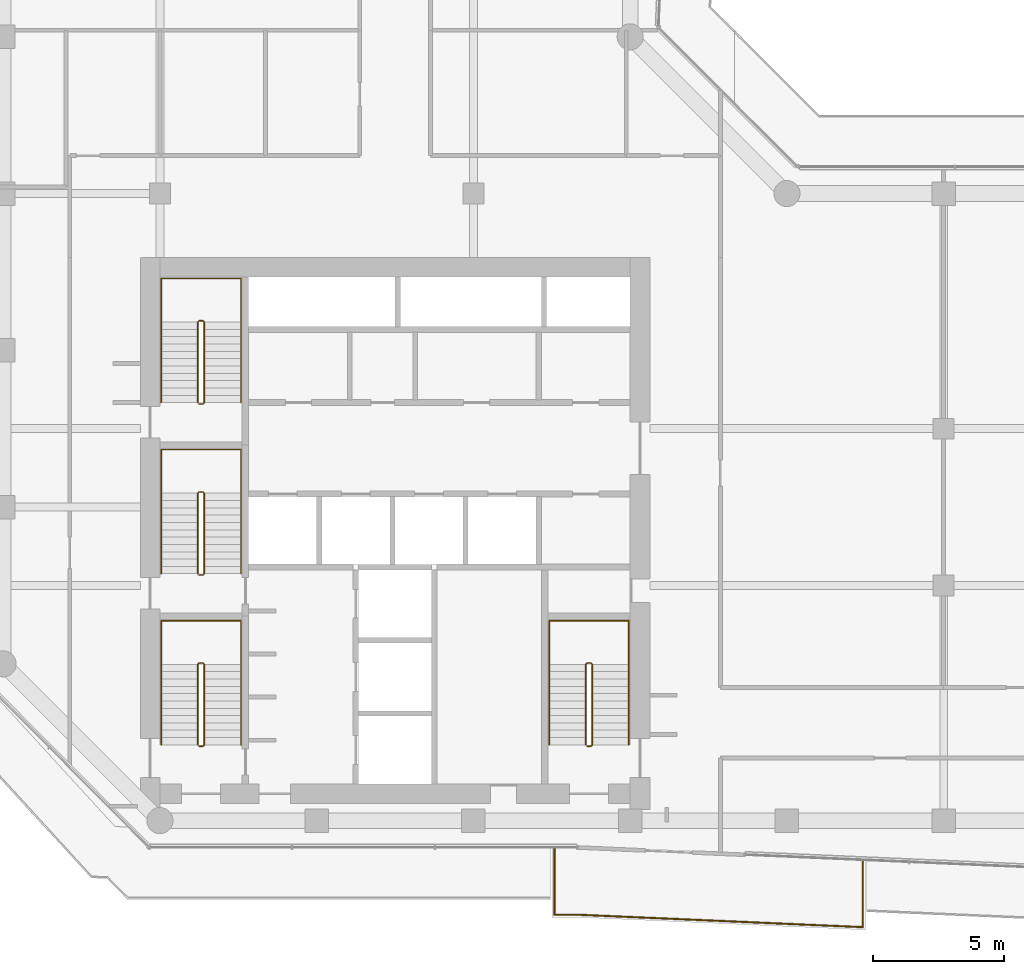
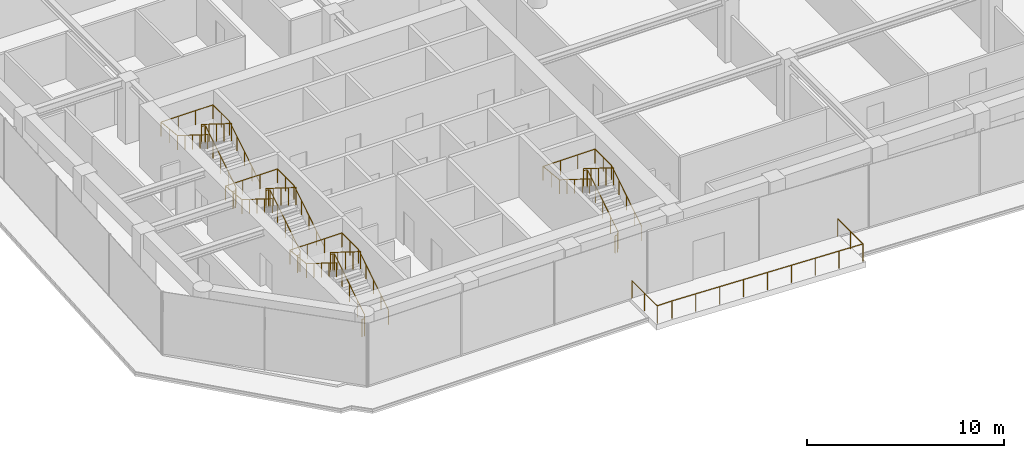
# One storey, part 24 of 25: 9 railings.
"""IFC4 building model written with IfcOpenShell, lengths in metres."""

from ifc_helpers import new_model, si_unit, direction, frame, origin, origin_2d, place, context, subcontext, project, spatial, circle, extrude, material, type_object, element, save


model = new_model("IFC4")

# Units and contexts
model_context = context("Model", 3, precision=1e-05, world=origin(), true_north=direction((0.0, 1.0)))
body_context = subcontext(model_context, "Body", "Model", "MODEL_VIEW")
ifc_project = project(units=[si_unit("LENGTHUNIT", "METRE"), si_unit("AREAUNIT", "SQUARE_METRE"), si_unit("VOLUMEUNIT", "CUBIC_METRE"), si_unit("PLANEANGLEUNIT", "RADIAN"), si_unit("MASSUNIT", "GRAM", prefix="KILO")], contexts=[model_context])

# Site, building, storey
site_placement = place(None, origin())
site = spatial("IfcSite", under=ifc_project, at=site_placement, CompositionType="ELEMENT")
building_placement = place(site_placement, origin())
building = spatial("IfcBuilding", under=site, at=building_placement, Name="Welwitschia Terrace Campus", CompositionType="ELEMENT")
storey_placement = place(building_placement, frame((0.0, 0.0, 121.39990234375)))
storey = spatial("IfcBuildingStorey", under=building, at=storey_placement, Name="L27", CompositionType="ELEMENT", Elevation=121.39990234375)

# Railings
ifc_material_1 = material(Name="Stainless steel grade 316", Category="steel")
railing_type_1 = type_object("IfcRailingType", Name="Guard 1100", PredefinedType="GUARDRAIL", material=ifc_material_1)
railing_1_placement = place(storey_placement, frame((32.90380859375, 2.494873046875, 0.0)))
element("IfcRailing", 1, at=railing_1_placement, inside=storey, type_object=railing_type_1, Name="Guard terrace L27:0:0.0", PredefinedType="GUARDRAIL", context=body_context, shape_type="SweptSolid", body=[
    extrude(circle(Radius=0.02392578125, at=origin_2d()), frame((0.0, 0.0, 1.076171875), z_axis=(-0.001518601134, -0.999998846925, 0.0), x_axis=(0.999998846925, -0.001518601134, 0.0)), (0.0, 0.0, 1.0), 2.572265625),
    extrude(circle(Radius=0.02392578125, at=origin_2d()), frame((-0.00390625, -2.572265625, 1.076171875), z_axis=(-0.999048991113, 0.043601758625, 0.0), x_axis=(-0.043601758625, -0.999048991113, 0.0)), (0.0, 0.0, 1.0), 10.94677734375),
    extrude(circle(Radius=0.02392578125, at=origin_2d()), frame((-10.940185546875, -2.094970703125, 1.076171875), z_axis=(-1.0, 0.0, 0.0), x_axis=(0.0, -1.0, 0.0)), (0.0, 0.0, 1.0), 0.863525390625),
    extrude(circle(Radius=0.02392578125, at=origin_2d()), frame((-11.8037109375, -2.094970703125, 1.076171875), z_axis=(0.0, 1.0, 0.0), x_axis=(-1.0, 0.0, 0.0)), (0.0, 0.0, 1.0), 2.570068359375),
    extrude(circle(Radius=0.02099609375, at=origin_2d()), origin(), (0.0, 0.0, 1.0), 1.052001953125),
    extrude(circle(Radius=0.02099609375, at=origin_2d()), frame((-0.001953125, -1.2861328125, 0.0)), (0.0, 0.0, 1.0), 1.052001953125),
    extrude(circle(Radius=0.02099609375, at=origin_2d()), frame((-0.00390625, -2.572265625, 0.0)), (0.0, 0.0, 1.0), 1.052001953125),
    extrude(circle(Radius=0.02099609375, at=origin_2d()), frame((-1.370849609375, -2.5126953125, 0.0)), (0.0, 0.0, 1.0), 1.052001953125),
    extrude(circle(Radius=0.02099609375, at=origin_2d()), frame((-2.738037109375, -2.452880859375, 0.0)), (0.0, 0.0, 1.0), 1.052001953125),
    extrude(circle(Radius=0.02099609375, at=origin_2d()), frame((-4.10498046875, -2.393310546875, 0.0)), (0.0, 0.0, 1.0), 1.052001953125),
    extrude(circle(Radius=0.02099609375, at=origin_2d()), frame((-5.47216796875, -2.33349609375, 0.0)), (0.0, 0.0, 1.0), 1.052001953125),
    extrude(circle(Radius=0.02099609375, at=origin_2d()), frame((-6.839111328125, -2.27392578125, 0.0)), (0.0, 0.0, 1.0), 1.052001953125),
    extrude(circle(Radius=0.02099609375, at=origin_2d()), frame((-8.2060546875, -2.21435546875, 0.0)), (0.0, 0.0, 1.0), 1.052001953125),
    extrude(circle(Radius=0.02099609375, at=origin_2d()), frame((-9.5732421875, -2.154541015625, 0.0)), (0.0, 0.0, 1.0), 1.052001953125),
    extrude(circle(Radius=0.02099609375, at=origin_2d()), frame((-10.940185546875, -2.094970703125, 0.0)), (0.0, 0.0, 1.0), 1.052001953125),
    extrude(circle(Radius=0.02099609375, at=origin_2d()), frame((-11.8037109375, -2.094970703125, 0.0)), (0.0, 0.0, 1.0), 1.052001953125),
    extrude(circle(Radius=0.02099609375, at=origin_2d()), frame((-11.8037109375, -0.81005859375, 0.0)), (0.0, 0.0, 1.0), 1.052001953125),
    extrude(circle(Radius=0.02099609375, at=origin_2d()), frame((-11.8037109375, 0.47509765625, 0.0)), (0.0, 0.0, 1.0), 1.052001953125),
])
ifc_material_2 = material(Name="Steel S355", Category="steel")
railing_type_2 = type_object("IfcRailingType", Name="Stair guard 1100", PredefinedType="GUARDRAIL", material=ifc_material_2)
railing_2_placement = place(storey_placement, frame((7.5, 6.85009765625, 0.0)))
element("IfcRailing", 2, at=railing_2_placement, inside=storey, type_object=railing_type_2, Name="L27 S1 stair guard", PredefinedType="GUARDRAIL", context=body_context, shape_type="SweptSolid", body=[
    extrude(circle(Radius=0.02392578125, at=origin_2d()), frame((0.0, 0.0, 1.076171875), z_axis=(1.0, 0.0, 0.0), x_axis=(0.0, 1.0, 0.0)), (0.0, 0.0, 1.0), 0.14990234375),
    extrude(circle(Radius=0.02392578125, at=origin_2d()), frame((0.14990234375, 0.0, 1.076171875), z_axis=(0.265155923931, 0.263862480399, 0.927399011991), x_axis=(-0.705375805398, 0.708833529934, 0.0)), (0.0, 0.0, 1.0), 0.188720703125),
    extrude(circle(Radius=0.02392578125, at=origin_2d()), frame((0.199951171875, 0.0498046875, 1.2509765625), z_axis=(0.0, 0.847998304005, 0.529998940003), x_axis=(-1.0, 0.0, 0.0)), (0.0, 0.0, 1.0), 3.632080078125),
    extrude(circle(Radius=0.02392578125, at=origin_2d()), frame((0.199951171875, 3.1298828125, 3.17626953125), z_axis=(-0.707106781187, 0.707106781187, 0.0), x_axis=(-0.707106781187, -0.707106781187, 0.0)), (0.0, 0.0, 1.0), 0.07080078125),
    extrude(circle(Radius=0.02392578125, at=origin_2d()), frame((0.14990234375, 3.179931640625, 3.17626953125), z_axis=(-1.0, 0.0, 0.0), x_axis=(0.0, -1.0, 0.0)), (0.0, 0.0, 1.0), 0.14990234375),
    extrude(circle(Radius=0.02392578125, at=origin_2d()), frame((0.0, 3.179931640625, 3.17626953125), z_axis=(-0.265065253269, -0.265065253269, 0.927081885822), x_axis=(0.707106781187, -0.707106781187, 0.0)), (0.0, 0.0, 1.0), 0.188720703125),
    extrude(circle(Radius=0.02392578125, at=origin_2d()), frame((-0.050048828125, 3.1298828125, 3.35107421875), z_axis=(0.0, -0.847998304005, 0.529998940003), x_axis=(1.0, 0.0, 0.0)), (0.0, 0.0, 1.0), 3.632080078125),
    extrude(circle(Radius=0.02099609375, at=origin_2d()), origin(), (0.0, 0.0, 1.0), 1.052001953125),
    extrude(circle(Radius=0.02099609375, at=origin_2d()), frame((0.14990234375, 0.0, 0.0)), (0.0, 0.0, 1.0), 1.052001953125),
    extrude(circle(Radius=0.02099609375, at=origin_2d()), frame((0.199951171875, 0.0498046875, 0.175048828125)), (0.0, 0.0, 1.0), 1.052001953125),
    extrude(circle(Radius=0.02099609375, at=origin_2d()), frame((0.199951171875, 0.81982421875, 0.65625)), (0.0, 0.0, 1.0), 1.052001953125),
    extrude(circle(Radius=0.02099609375, at=origin_2d()), frame((0.199951171875, 1.58984375, 1.1376953125)), (0.0, 0.0, 1.0), 1.052001953125),
    extrude(circle(Radius=0.02099609375, at=origin_2d()), frame((0.199951171875, 2.35986328125, 1.618896484375)), (0.0, 0.0, 1.0), 1.052001953125),
    extrude(circle(Radius=0.02099609375, at=origin_2d()), frame((0.199951171875, 3.1298828125, 2.10009765625)), (0.0, 0.0, 1.0), 1.052001953125),
    extrude(circle(Radius=0.02099609375, at=origin_2d()), frame((0.14990234375, 3.179931640625, 2.10009765625)), (0.0, 0.0, 1.0), 1.052001953125),
    extrude(circle(Radius=0.02099609375, at=origin_2d()), frame((0.0, 3.179931640625, 2.10009765625)), (0.0, 0.0, 1.0), 1.052001953125),
    extrude(circle(Radius=0.02099609375, at=origin_2d()), frame((-0.050048828125, 3.1298828125, 2.275146484375)), (0.0, 0.0, 1.0), 1.052001953125),
    extrude(circle(Radius=0.02099609375, at=origin_2d()), frame((-0.050048828125, 2.35986328125, 2.75634765625)), (0.0, 0.0, 1.0), 1.052001953125),
    extrude(circle(Radius=0.02099609375, at=origin_2d()), frame((-0.050048828125, 1.58984375, 3.23779296875)), (0.0, 0.0, 1.0), 1.052001953125),
    extrude(circle(Radius=0.02099609375, at=origin_2d()), frame((-0.050048828125, 0.81982421875, 3.718994140625)), (0.0, 0.0, 1.0), 1.052001953125),
    extrude(circle(Radius=0.02099609375, at=origin_2d()), frame((-0.050048828125, 0.0498046875, 4.2001953125)), (0.0, 0.0, 1.0), 1.052001953125),
])
railing_3_placement = place(storey_placement, frame((7.5, 13.39990234375, 0.0)))
element("IfcRailing", 3, at=railing_3_placement, inside=storey, type_object=railing_type_2, Name="L27 S3 stair guard", PredefinedType="GUARDRAIL", context=body_context, shape_type="SweptSolid", body=[
    extrude(circle(Radius=0.02392578125, at=origin_2d()), frame((0.0, 0.0, 1.076171875), z_axis=(1.0, 0.0, 0.0), x_axis=(0.0, 1.0, 0.0)), (0.0, 0.0, 1.0), 0.14990234375),
    extrude(circle(Radius=0.02392578125, at=origin_2d()), frame((0.14990234375, 0.0, 1.076171875), z_axis=(0.265065253269, 0.265065253269, 0.927081885822), x_axis=(-0.707106781187, 0.707106781187, 0.0)), (0.0, 0.0, 1.0), 0.188720703125),
    extrude(circle(Radius=0.02392578125, at=origin_2d()), frame((0.199951171875, 0.050048828125, 1.2509765625), z_axis=(0.0, 0.847998304005, 0.529998940003), x_axis=(-1.0, 0.0, 0.0)), (0.0, 0.0, 1.0), 3.632080078125),
    extrude(circle(Radius=0.02392578125, at=origin_2d()), frame((0.199951171875, 3.130126953125, 3.17626953125), z_axis=(-0.707106781187, 0.707106781187, 0.0), x_axis=(-0.707106781187, -0.707106781187, 0.0)), (0.0, 0.0, 1.0), 0.07080078125),
    extrude(circle(Radius=0.02392578125, at=origin_2d()), frame((0.14990234375, 3.18017578125, 3.17626953125), z_axis=(-1.0, 0.0, 0.0), x_axis=(0.0, -1.0, 0.0)), (0.0, 0.0, 1.0), 0.14990234375),
    extrude(circle(Radius=0.02392578125, at=origin_2d()), frame((0.0, 3.18017578125, 3.17626953125), z_axis=(-0.265065253269, -0.265065253269, 0.927081885822), x_axis=(0.707106781187, -0.707106781187, 0.0)), (0.0, 0.0, 1.0), 0.188720703125),
    extrude(circle(Radius=0.02392578125, at=origin_2d()), frame((-0.050048828125, 3.130126953125, 3.35107421875), z_axis=(0.0, -0.847998304005, 0.529998940003), x_axis=(1.0, 0.0, 0.0)), (0.0, 0.0, 1.0), 3.632080078125),
    extrude(circle(Radius=0.02099609375, at=origin_2d()), origin(), (0.0, 0.0, 1.0), 1.052001953125),
    extrude(circle(Radius=0.02099609375, at=origin_2d()), frame((0.14990234375, 0.0, 0.0)), (0.0, 0.0, 1.0), 1.052001953125),
    extrude(circle(Radius=0.02099609375, at=origin_2d()), frame((0.199951171875, 0.050048828125, 0.175048828125)), (0.0, 0.0, 1.0), 1.052001953125),
    extrude(circle(Radius=0.02099609375, at=origin_2d()), frame((0.199951171875, 0.820068359375, 0.65625)), (0.0, 0.0, 1.0), 1.052001953125),
    extrude(circle(Radius=0.02099609375, at=origin_2d()), frame((0.199951171875, 1.590087890625, 1.1376953125)), (0.0, 0.0, 1.0), 1.052001953125),
    extrude(circle(Radius=0.02099609375, at=origin_2d()), frame((0.199951171875, 2.360107421875, 1.618896484375)), (0.0, 0.0, 1.0), 1.052001953125),
    extrude(circle(Radius=0.02099609375, at=origin_2d()), frame((0.199951171875, 3.130126953125, 2.10009765625)), (0.0, 0.0, 1.0), 1.052001953125),
    extrude(circle(Radius=0.02099609375, at=origin_2d()), frame((0.14990234375, 3.18017578125, 2.10009765625)), (0.0, 0.0, 1.0), 1.052001953125),
    extrude(circle(Radius=0.02099609375, at=origin_2d()), frame((0.0, 3.18017578125, 2.10009765625)), (0.0, 0.0, 1.0), 1.052001953125),
    extrude(circle(Radius=0.02099609375, at=origin_2d()), frame((-0.050048828125, 3.130126953125, 2.275146484375)), (0.0, 0.0, 1.0), 1.052001953125),
    extrude(circle(Radius=0.02099609375, at=origin_2d()), frame((-0.050048828125, 2.360107421875, 2.75634765625)), (0.0, 0.0, 1.0), 1.052001953125),
    extrude(circle(Radius=0.02099609375, at=origin_2d()), frame((-0.050048828125, 1.590087890625, 3.23779296875)), (0.0, 0.0, 1.0), 1.052001953125),
    extrude(circle(Radius=0.02099609375, at=origin_2d()), frame((-0.050048828125, 0.820068359375, 3.718994140625)), (0.0, 0.0, 1.0), 1.052001953125),
    extrude(circle(Radius=0.02099609375, at=origin_2d()), frame((-0.050048828125, 0.050048828125, 4.2001953125)), (0.0, 0.0, 1.0), 1.052001953125),
])
railing_4_placement = place(storey_placement, frame((7.5, 19.949951171875, 0.0)))
element("IfcRailing", 4, at=railing_4_placement, inside=storey, type_object=railing_type_2, Name="L27 S4 stair guard", PredefinedType="GUARDRAIL", context=body_context, shape_type="SweptSolid", body=[
    extrude(circle(Radius=0.02392578125, at=origin_2d()), frame((0.0, 0.0, 1.076171875), z_axis=(1.0, 0.0, 0.0), x_axis=(0.0, 1.0, 0.0)), (0.0, 0.0, 1.0), 0.14990234375),
    extrude(circle(Radius=0.02392578125, at=origin_2d()), frame((0.14990234375, 0.0, 1.076171875), z_axis=(0.265065253269, 0.265065253269, 0.927081885822), x_axis=(-0.707106781187, 0.707106781187, 0.0)), (0.0, 0.0, 1.0), 0.188720703125),
    extrude(circle(Radius=0.02392578125, at=origin_2d()), frame((0.199951171875, 0.050048828125, 1.2509765625), z_axis=(0.0, 0.847998304005, 0.529998940003), x_axis=(-1.0, 0.0, 0.0)), (0.0, 0.0, 1.0), 3.632080078125),
    extrude(circle(Radius=0.02392578125, at=origin_2d()), frame((0.199951171875, 3.130126953125, 3.17626953125), z_axis=(-0.708833529934, 0.705375805398, 0.0), x_axis=(-0.705375805398, -0.708833529934, 0.0)), (0.0, 0.0, 1.0), 0.070556640625),
    extrude(circle(Radius=0.02392578125, at=origin_2d()), frame((0.14990234375, 3.179931640625, 3.17626953125), z_axis=(-1.0, 0.0, 0.0), x_axis=(0.0, -1.0, 0.0)), (0.0, 0.0, 1.0), 0.14990234375),
    extrude(circle(Radius=0.02392578125, at=origin_2d()), frame((0.0, 3.179931640625, 3.17626953125), z_axis=(-0.265155923931, -0.263862480399, 0.927399011991), x_axis=(0.705375805398, -0.708833529934, 0.0)), (0.0, 0.0, 1.0), 0.188720703125),
    extrude(circle(Radius=0.02392578125, at=origin_2d()), frame((-0.050048828125, 3.130126953125, 3.35107421875), z_axis=(0.0, -0.847998304005, 0.529998940003), x_axis=(1.0, 0.0, 0.0)), (0.0, 0.0, 1.0), 3.632080078125),
    extrude(circle(Radius=0.02099609375, at=origin_2d()), origin(), (0.0, 0.0, 1.0), 1.052001953125),
    extrude(circle(Radius=0.02099609375, at=origin_2d()), frame((0.14990234375, 0.0, 0.0)), (0.0, 0.0, 1.0), 1.052001953125),
    extrude(circle(Radius=0.02099609375, at=origin_2d()), frame((0.199951171875, 0.050048828125, 0.175048828125)), (0.0, 0.0, 1.0), 1.052001953125),
    extrude(circle(Radius=0.02099609375, at=origin_2d()), frame((0.199951171875, 0.820068359375, 0.65625)), (0.0, 0.0, 1.0), 1.052001953125),
    extrude(circle(Radius=0.02099609375, at=origin_2d()), frame((0.199951171875, 1.590087890625, 1.1376953125)), (0.0, 0.0, 1.0), 1.052001953125),
    extrude(circle(Radius=0.02099609375, at=origin_2d()), frame((0.199951171875, 2.360107421875, 1.618896484375)), (0.0, 0.0, 1.0), 1.052001953125),
    extrude(circle(Radius=0.02099609375, at=origin_2d()), frame((0.199951171875, 3.130126953125, 2.10009765625)), (0.0, 0.0, 1.0), 1.052001953125),
    extrude(circle(Radius=0.02099609375, at=origin_2d()), frame((0.14990234375, 3.179931640625, 2.10009765625)), (0.0, 0.0, 1.0), 1.052001953125),
    extrude(circle(Radius=0.02099609375, at=origin_2d()), frame((0.0, 3.179931640625, 2.10009765625)), (0.0, 0.0, 1.0), 1.052001953125),
    extrude(circle(Radius=0.02099609375, at=origin_2d()), frame((-0.050048828125, 3.130126953125, 2.275146484375)), (0.0, 0.0, 1.0), 1.052001953125),
    extrude(circle(Radius=0.02099609375, at=origin_2d()), frame((-0.050048828125, 2.360107421875, 2.75634765625)), (0.0, 0.0, 1.0), 1.052001953125),
    extrude(circle(Radius=0.02099609375, at=origin_2d()), frame((-0.050048828125, 1.590087890625, 3.23779296875)), (0.0, 0.0, 1.0), 1.052001953125),
    extrude(circle(Radius=0.02099609375, at=origin_2d()), frame((-0.050048828125, 0.820068359375, 3.718994140625)), (0.0, 0.0, 1.0), 1.052001953125),
    extrude(circle(Radius=0.02099609375, at=origin_2d()), frame((-0.050048828125, 0.050048828125, 4.2001953125)), (0.0, 0.0, 1.0), 1.052001953125),
])
railing_5_placement = place(storey_placement, frame((22.35009765625, 6.85009765625, 0.0)))
element("IfcRailing", 5, at=railing_5_placement, inside=storey, type_object=railing_type_2, Name="L27 S2 stair guard", PredefinedType="GUARDRAIL", context=body_context, shape_type="SweptSolid", body=[
    extrude(circle(Radius=0.02392578125, at=origin_2d()), frame((0.0, 0.0, 1.076171875), z_axis=(1.0, 0.0, 0.0), x_axis=(0.0, 1.0, 0.0)), (0.0, 0.0, 1.0), 0.14990234375),
    extrude(circle(Radius=0.02392578125, at=origin_2d()), frame((0.14990234375, 0.0, 1.076171875), z_axis=(0.265155923931, 0.263862480399, 0.927399011991), x_axis=(-0.705375805398, 0.708833529934, 0.0)), (0.0, 0.0, 1.0), 0.188720703125),
    extrude(circle(Radius=0.02392578125, at=origin_2d()), frame((0.199951171875, 0.0498046875, 1.2509765625), z_axis=(0.0, 0.847998304005, 0.529998940003), x_axis=(-1.0, 0.0, 0.0)), (0.0, 0.0, 1.0), 3.632080078125),
    extrude(circle(Radius=0.02392578125, at=origin_2d()), frame((0.199951171875, 3.1298828125, 3.17626953125), z_axis=(-0.707106781187, 0.707106781187, 0.0), x_axis=(-0.707106781187, -0.707106781187, 0.0)), (0.0, 0.0, 1.0), 0.07080078125),
    extrude(circle(Radius=0.02392578125, at=origin_2d()), frame((0.14990234375, 3.179931640625, 3.17626953125), z_axis=(-1.0, 0.0, 0.0), x_axis=(0.0, -1.0, 0.0)), (0.0, 0.0, 1.0), 0.14990234375),
    extrude(circle(Radius=0.02392578125, at=origin_2d()), frame((0.0, 3.179931640625, 3.17626953125), z_axis=(-0.265065253269, -0.265065253269, 0.927081885822), x_axis=(0.707106781187, -0.707106781187, 0.0)), (0.0, 0.0, 1.0), 0.188720703125),
    extrude(circle(Radius=0.02392578125, at=origin_2d()), frame((-0.050048828125, 3.1298828125, 3.35107421875), z_axis=(0.0, -0.847998304005, 0.529998940003), x_axis=(1.0, 0.0, 0.0)), (0.0, 0.0, 1.0), 3.632080078125),
    extrude(circle(Radius=0.02099609375, at=origin_2d()), origin(), (0.0, 0.0, 1.0), 1.052001953125),
    extrude(circle(Radius=0.02099609375, at=origin_2d()), frame((0.14990234375, 0.0, 0.0)), (0.0, 0.0, 1.0), 1.052001953125),
    extrude(circle(Radius=0.02099609375, at=origin_2d()), frame((0.199951171875, 0.0498046875, 0.175048828125)), (0.0, 0.0, 1.0), 1.052001953125),
    extrude(circle(Radius=0.02099609375, at=origin_2d()), frame((0.199951171875, 0.81982421875, 0.65625)), (0.0, 0.0, 1.0), 1.052001953125),
    extrude(circle(Radius=0.02099609375, at=origin_2d()), frame((0.199951171875, 1.58984375, 1.1376953125)), (0.0, 0.0, 1.0), 1.052001953125),
    extrude(circle(Radius=0.02099609375, at=origin_2d()), frame((0.199951171875, 2.35986328125, 1.618896484375)), (0.0, 0.0, 1.0), 1.052001953125),
    extrude(circle(Radius=0.02099609375, at=origin_2d()), frame((0.199951171875, 3.1298828125, 2.10009765625)), (0.0, 0.0, 1.0), 1.052001953125),
    extrude(circle(Radius=0.02099609375, at=origin_2d()), frame((0.14990234375, 3.179931640625, 2.10009765625)), (0.0, 0.0, 1.0), 1.052001953125),
    extrude(circle(Radius=0.02099609375, at=origin_2d()), frame((0.0, 3.179931640625, 2.10009765625)), (0.0, 0.0, 1.0), 1.052001953125),
    extrude(circle(Radius=0.02099609375, at=origin_2d()), frame((-0.050048828125, 3.1298828125, 2.275146484375)), (0.0, 0.0, 1.0), 1.052001953125),
    extrude(circle(Radius=0.02099609375, at=origin_2d()), frame((-0.050048828125, 2.35986328125, 2.75634765625)), (0.0, 0.0, 1.0), 1.052001953125),
    extrude(circle(Radius=0.02099609375, at=origin_2d()), frame((-0.050048828125, 1.58984375, 3.23779296875)), (0.0, 0.0, 1.0), 1.052001953125),
    extrude(circle(Radius=0.02099609375, at=origin_2d()), frame((-0.050048828125, 0.81982421875, 3.718994140625)), (0.0, 0.0, 1.0), 1.052001953125),
    extrude(circle(Radius=0.02099609375, at=origin_2d()), frame((-0.050048828125, 0.0498046875, 4.2001953125)), (0.0, 0.0, 1.0), 1.052001953125),
])
ifc_material_3 = material(Name="Steel S355", Category="steel")
railing_type_3 = type_object("IfcRailingType", Name="Stair handrail 900", PredefinedType="HANDRAIL", material=ifc_material_3)
railing_6_placement = place(storey_placement, frame((9.10009765625, 6.89990234375, 0.175048828125)))
element("IfcRailing", 6, at=railing_6_placement, inside=storey, type_object=railing_type_3, Name="L27 S1 stair handrail", PredefinedType="HANDRAIL", context=body_context, shape_type="SweptSolid", body=[
    extrude(circle(Radius=0.02392578125, at=origin_2d()), frame((0.0, 0.0, 0.8759765625), z_axis=(0.0, 0.847998304005, 0.529998940003), x_axis=(-1.0, 0.0, 0.0)), (0.0, 0.0, 1.0), 3.632080078125),
    extrude(circle(Radius=0.02392578125, at=origin_2d()), frame((0.0, 3.080078125, 2.80078125), z_axis=(0.0, 1.0, 0.0), x_axis=(-1.0, 0.0, 0.0)), (0.0, 0.0, 1.0), 1.669921875),
    extrude(circle(Radius=0.02392578125, at=origin_2d()), frame((0.0, 4.75, 2.80078125), z_axis=(-1.0, 0.0, 0.0), x_axis=(0.0, -1.0, 0.0)), (0.0, 0.0, 1.0), 3.050048828125),
    extrude(circle(Radius=0.02392578125, at=origin_2d()), frame((-3.050048828125, 4.75, 2.80078125), z_axis=(0.0, -0.99455077262, 0.104253348533), x_axis=(1.0, 0.0, 0.0)), (0.0, 0.0, 1.0), 1.678955078125),
    extrude(circle(Radius=0.02392578125, at=origin_2d()), frame((-3.050048828125, 3.080078125, 2.97607421875), z_axis=(0.0, -0.847998304005, 0.529998940003), x_axis=(1.0, 0.0, 0.0)), (0.0, 0.0, 1.0), 3.632080078125),
    extrude(circle(Radius=0.02099609375, at=origin_2d()), origin(), (0.0, 0.0, 1.0), 0.851806640625),
    extrude(circle(Radius=0.02099609375, at=origin_2d()), frame((0.0, 0.77001953125, 0.481201171875)), (0.0, 0.0, 1.0), 0.851806640625),
    extrude(circle(Radius=0.02099609375, at=origin_2d()), frame((0.0, 1.5400390625, 0.96240234375)), (0.0, 0.0, 1.0), 0.851806640625),
    extrude(circle(Radius=0.02099609375, at=origin_2d()), frame((0.0, 2.31005859375, 1.44384765625)), (0.0, 0.0, 1.0), 0.851806640625),
    extrude(circle(Radius=0.02099609375, at=origin_2d()), frame((0.0, 3.080078125, 1.925048828125)), (0.0, 0.0, 1.0), 0.851806640625),
    extrude(circle(Radius=0.02099609375, at=origin_2d()), frame((0.0, 3.9150390625, 1.925048828125)), (0.0, 0.0, 1.0), 0.851806640625),
    extrude(circle(Radius=0.02099609375, at=origin_2d()), frame((0.0, 4.75, 1.925048828125)), (0.0, 0.0, 1.0), 0.851806640625),
    extrude(circle(Radius=0.02099609375, at=origin_2d()), frame((-1.0166015625, 4.75, 1.925048828125)), (0.0, 0.0, 1.0), 0.851806640625),
    extrude(circle(Radius=0.02099609375, at=origin_2d()), frame((-2.033447265625, 4.75, 1.925048828125)), (0.0, 0.0, 1.0), 0.851806640625),
    extrude(circle(Radius=0.02099609375, at=origin_2d()), frame((-3.050048828125, 4.75, 1.925048828125)), (0.0, 0.0, 1.0), 0.851806640625),
    extrude(circle(Radius=0.02099609375, at=origin_2d()), frame((-3.050048828125, 3.9150390625, 2.0126953125)), (0.0, 0.0, 1.0), 0.851806640625),
    extrude(circle(Radius=0.02099609375, at=origin_2d()), frame((-3.050048828125, 3.080078125, 2.10009765625)), (0.0, 0.0, 1.0), 0.851806640625),
    extrude(circle(Radius=0.02099609375, at=origin_2d()), frame((-3.050048828125, 2.31005859375, 2.581298828125)), (0.0, 0.0, 1.0), 0.851806640625),
    extrude(circle(Radius=0.02099609375, at=origin_2d()), frame((-3.050048828125, 1.5400390625, 3.0625)), (0.0, 0.0, 1.0), 0.851806640625),
    extrude(circle(Radius=0.02099609375, at=origin_2d()), frame((-3.050048828125, 0.77001953125, 3.5439453125)), (0.0, 0.0, 1.0), 0.851806640625),
    extrude(circle(Radius=0.02099609375, at=origin_2d()), frame((-3.050048828125, 0.0, 4.025146484375)), (0.0, 0.0, 1.0), 0.851806640625),
])
railing_7_placement = place(storey_placement, frame((9.10009765625, 13.449951171875, 0.175048828125)))
element("IfcRailing", 7, at=railing_7_placement, inside=storey, type_object=railing_type_3, Name="L27 S3 stair handrail", PredefinedType="HANDRAIL", context=body_context, shape_type="SweptSolid", body=[
    extrude(circle(Radius=0.02392578125, at=origin_2d()), frame((0.0, 0.0, 0.8759765625), z_axis=(0.0, 0.847998304005, 0.529998940003), x_axis=(-1.0, 0.0, 0.0)), (0.0, 0.0, 1.0), 3.632080078125),
    extrude(circle(Radius=0.02392578125, at=origin_2d()), frame((0.0, 3.080078125, 2.80078125), z_axis=(0.0, 1.0, 0.0), x_axis=(-1.0, 0.0, 0.0)), (0.0, 0.0, 1.0), 1.669921875),
    extrude(circle(Radius=0.02392578125, at=origin_2d()), frame((0.0, 4.75, 2.80078125), z_axis=(-1.0, 0.0, 0.0), x_axis=(0.0, -1.0, 0.0)), (0.0, 0.0, 1.0), 3.050048828125),
    extrude(circle(Radius=0.02392578125, at=origin_2d()), frame((-3.050048828125, 4.75, 2.80078125), z_axis=(0.0, -0.99455077262, 0.104253348533), x_axis=(1.0, 0.0, 0.0)), (0.0, 0.0, 1.0), 1.678955078125),
    extrude(circle(Radius=0.02392578125, at=origin_2d()), frame((-3.050048828125, 3.080078125, 2.97607421875), z_axis=(0.0, -0.847998304005, 0.529998940003), x_axis=(1.0, 0.0, 0.0)), (0.0, 0.0, 1.0), 3.632080078125),
    extrude(circle(Radius=0.02099609375, at=origin_2d()), origin(), (0.0, 0.0, 1.0), 0.851806640625),
    extrude(circle(Radius=0.02099609375, at=origin_2d()), frame((0.0, 0.77001953125, 0.481201171875)), (0.0, 0.0, 1.0), 0.851806640625),
    extrude(circle(Radius=0.02099609375, at=origin_2d()), frame((0.0, 1.5400390625, 0.96240234375)), (0.0, 0.0, 1.0), 0.851806640625),
    extrude(circle(Radius=0.02099609375, at=origin_2d()), frame((0.0, 2.31005859375, 1.44384765625)), (0.0, 0.0, 1.0), 0.851806640625),
    extrude(circle(Radius=0.02099609375, at=origin_2d()), frame((0.0, 3.080078125, 1.925048828125)), (0.0, 0.0, 1.0), 0.851806640625),
    extrude(circle(Radius=0.02099609375, at=origin_2d()), frame((0.0, 3.9150390625, 1.925048828125)), (0.0, 0.0, 1.0), 0.851806640625),
    extrude(circle(Radius=0.02099609375, at=origin_2d()), frame((0.0, 4.75, 1.925048828125)), (0.0, 0.0, 1.0), 0.851806640625),
    extrude(circle(Radius=0.02099609375, at=origin_2d()), frame((-1.0166015625, 4.75, 1.925048828125)), (0.0, 0.0, 1.0), 0.851806640625),
    extrude(circle(Radius=0.02099609375, at=origin_2d()), frame((-2.033447265625, 4.75, 1.925048828125)), (0.0, 0.0, 1.0), 0.851806640625),
    extrude(circle(Radius=0.02099609375, at=origin_2d()), frame((-3.050048828125, 4.75, 1.925048828125)), (0.0, 0.0, 1.0), 0.851806640625),
    extrude(circle(Radius=0.02099609375, at=origin_2d()), frame((-3.050048828125, 3.9150390625, 2.0126953125)), (0.0, 0.0, 1.0), 0.851806640625),
    extrude(circle(Radius=0.02099609375, at=origin_2d()), frame((-3.050048828125, 3.080078125, 2.10009765625)), (0.0, 0.0, 1.0), 0.851806640625),
    extrude(circle(Radius=0.02099609375, at=origin_2d()), frame((-3.050048828125, 2.31005859375, 2.581298828125)), (0.0, 0.0, 1.0), 0.851806640625),
    extrude(circle(Radius=0.02099609375, at=origin_2d()), frame((-3.050048828125, 1.5400390625, 3.0625)), (0.0, 0.0, 1.0), 0.851806640625),
    extrude(circle(Radius=0.02099609375, at=origin_2d()), frame((-3.050048828125, 0.77001953125, 3.5439453125)), (0.0, 0.0, 1.0), 0.851806640625),
    extrude(circle(Radius=0.02099609375, at=origin_2d()), frame((-3.050048828125, 0.0, 4.025146484375)), (0.0, 0.0, 1.0), 0.851806640625),
])
railing_8_placement = place(storey_placement, frame((9.10009765625, 20.0, 0.175048828125)))
element("IfcRailing", 8, at=railing_8_placement, inside=storey, type_object=railing_type_3, Name="L27 S4 stair handrail", PredefinedType="HANDRAIL", context=body_context, shape_type="SweptSolid", body=[
    extrude(circle(Radius=0.02392578125, at=origin_2d()), frame((0.0, 0.0, 0.8759765625), z_axis=(0.0, 0.847998304005, 0.529998940003), x_axis=(-1.0, 0.0, 0.0)), (0.0, 0.0, 1.0), 3.632080078125),
    extrude(circle(Radius=0.02392578125, at=origin_2d()), frame((0.0, 3.080078125, 2.80078125), z_axis=(0.0, 1.0, 0.0), x_axis=(-1.0, 0.0, 0.0)), (0.0, 0.0, 1.0), 1.669921875),
    extrude(circle(Radius=0.02392578125, at=origin_2d()), frame((0.0, 4.75, 2.80078125), z_axis=(-1.0, 0.0, 0.0), x_axis=(0.0, -1.0, 0.0)), (0.0, 0.0, 1.0), 3.050048828125),
    extrude(circle(Radius=0.02392578125, at=origin_2d()), frame((-3.050048828125, 4.75, 2.80078125), z_axis=(0.0, -0.99455077262, 0.104253348533), x_axis=(1.0, 0.0, 0.0)), (0.0, 0.0, 1.0), 1.678955078125),
    extrude(circle(Radius=0.02392578125, at=origin_2d()), frame((-3.050048828125, 3.080078125, 2.97607421875), z_axis=(0.0, -0.847998304005, 0.529998940003), x_axis=(1.0, 0.0, 0.0)), (0.0, 0.0, 1.0), 3.632080078125),
    extrude(circle(Radius=0.02099609375, at=origin_2d()), origin(), (0.0, 0.0, 1.0), 0.851806640625),
    extrude(circle(Radius=0.02099609375, at=origin_2d()), frame((0.0, 0.77001953125, 0.481201171875)), (0.0, 0.0, 1.0), 0.851806640625),
    extrude(circle(Radius=0.02099609375, at=origin_2d()), frame((0.0, 1.5400390625, 0.96240234375)), (0.0, 0.0, 1.0), 0.851806640625),
    extrude(circle(Radius=0.02099609375, at=origin_2d()), frame((0.0, 2.31005859375, 1.44384765625)), (0.0, 0.0, 1.0), 0.851806640625),
    extrude(circle(Radius=0.02099609375, at=origin_2d()), frame((0.0, 3.080078125, 1.925048828125)), (0.0, 0.0, 1.0), 0.851806640625),
    extrude(circle(Radius=0.02099609375, at=origin_2d()), frame((0.0, 3.9150390625, 1.925048828125)), (0.0, 0.0, 1.0), 0.851806640625),
    extrude(circle(Radius=0.02099609375, at=origin_2d()), frame((0.0, 4.75, 1.925048828125)), (0.0, 0.0, 1.0), 0.851806640625),
    extrude(circle(Radius=0.02099609375, at=origin_2d()), frame((-1.0166015625, 4.75, 1.925048828125)), (0.0, 0.0, 1.0), 0.851806640625),
    extrude(circle(Radius=0.02099609375, at=origin_2d()), frame((-2.033447265625, 4.75, 1.925048828125)), (0.0, 0.0, 1.0), 0.851806640625),
    extrude(circle(Radius=0.02099609375, at=origin_2d()), frame((-3.050048828125, 4.75, 1.925048828125)), (0.0, 0.0, 1.0), 0.851806640625),
    extrude(circle(Radius=0.02099609375, at=origin_2d()), frame((-3.050048828125, 3.9150390625, 2.0126953125)), (0.0, 0.0, 1.0), 0.851806640625),
    extrude(circle(Radius=0.02099609375, at=origin_2d()), frame((-3.050048828125, 3.080078125, 2.10009765625)), (0.0, 0.0, 1.0), 0.851806640625),
    extrude(circle(Radius=0.02099609375, at=origin_2d()), frame((-3.050048828125, 2.31005859375, 2.581298828125)), (0.0, 0.0, 1.0), 0.851806640625),
    extrude(circle(Radius=0.02099609375, at=origin_2d()), frame((-3.050048828125, 1.5400390625, 3.0625)), (0.0, 0.0, 1.0), 0.851806640625),
    extrude(circle(Radius=0.02099609375, at=origin_2d()), frame((-3.050048828125, 0.77001953125, 3.5439453125)), (0.0, 0.0, 1.0), 0.851806640625),
    extrude(circle(Radius=0.02099609375, at=origin_2d()), frame((-3.050048828125, 0.0, 4.025146484375)), (0.0, 0.0, 1.0), 0.851806640625),
])
railing_9_placement = place(storey_placement, frame((23.949951171875, 6.89990234375, 0.175048828125)))
element("IfcRailing", 9, at=railing_9_placement, inside=storey, type_object=railing_type_3, Name="L27 S2 stair handrail", PredefinedType="HANDRAIL", context=body_context, shape_type="SweptSolid", body=[
    extrude(circle(Radius=0.02392578125, at=origin_2d()), frame((0.0, 0.0, 0.8759765625), z_axis=(0.0, 0.847998304005, 0.529998940003), x_axis=(-1.0, 0.0, 0.0)), (0.0, 0.0, 1.0), 3.632080078125),
    extrude(circle(Radius=0.02392578125, at=origin_2d()), frame((0.0, 3.080078125, 2.80078125), z_axis=(0.0, 1.0, 0.0), x_axis=(-1.0, 0.0, 0.0)), (0.0, 0.0, 1.0), 1.669921875),
    extrude(circle(Radius=0.02392578125, at=origin_2d()), frame((0.0, 4.75, 2.80078125), z_axis=(-1.0, 0.0, 0.0), x_axis=(0.0, -1.0, 0.0)), (0.0, 0.0, 1.0), 3.050048828125),
    extrude(circle(Radius=0.02392578125, at=origin_2d()), frame((-3.050048828125, 4.75, 2.80078125), z_axis=(0.0, -0.99455077262, 0.104253348533), x_axis=(1.0, 0.0, 0.0)), (0.0, 0.0, 1.0), 1.678955078125),
    extrude(circle(Radius=0.02392578125, at=origin_2d()), frame((-3.050048828125, 3.080078125, 2.97607421875), z_axis=(0.0, -0.847998304005, 0.529998940003), x_axis=(1.0, 0.0, 0.0)), (0.0, 0.0, 1.0), 3.632080078125),
    extrude(circle(Radius=0.02099609375, at=origin_2d()), origin(), (0.0, 0.0, 1.0), 0.851806640625),
    extrude(circle(Radius=0.02099609375, at=origin_2d()), frame((0.0, 0.77001953125, 0.481201171875)), (0.0, 0.0, 1.0), 0.851806640625),
    extrude(circle(Radius=0.02099609375, at=origin_2d()), frame((0.0, 1.5400390625, 0.96240234375)), (0.0, 0.0, 1.0), 0.851806640625),
    extrude(circle(Radius=0.02099609375, at=origin_2d()), frame((0.0, 2.31005859375, 1.44384765625)), (0.0, 0.0, 1.0), 0.851806640625),
    extrude(circle(Radius=0.02099609375, at=origin_2d()), frame((0.0, 3.080078125, 1.925048828125)), (0.0, 0.0, 1.0), 0.851806640625),
    extrude(circle(Radius=0.02099609375, at=origin_2d()), frame((0.0, 3.9150390625, 1.925048828125)), (0.0, 0.0, 1.0), 0.851806640625),
    extrude(circle(Radius=0.02099609375, at=origin_2d()), frame((0.0, 4.75, 1.925048828125)), (0.0, 0.0, 1.0), 0.851806640625),
    extrude(circle(Radius=0.02099609375, at=origin_2d()), frame((-1.0166015625, 4.75, 1.925048828125)), (0.0, 0.0, 1.0), 0.851806640625),
    extrude(circle(Radius=0.02099609375, at=origin_2d()), frame((-2.033447265625, 4.75, 1.925048828125)), (0.0, 0.0, 1.0), 0.851806640625),
    extrude(circle(Radius=0.02099609375, at=origin_2d()), frame((-3.050048828125, 4.75, 1.925048828125)), (0.0, 0.0, 1.0), 0.851806640625),
    extrude(circle(Radius=0.02099609375, at=origin_2d()), frame((-3.050048828125, 3.9150390625, 2.0126953125)), (0.0, 0.0, 1.0), 0.851806640625),
    extrude(circle(Radius=0.02099609375, at=origin_2d()), frame((-3.050048828125, 3.080078125, 2.10009765625)), (0.0, 0.0, 1.0), 0.851806640625),
    extrude(circle(Radius=0.02099609375, at=origin_2d()), frame((-3.050048828125, 2.31005859375, 2.581298828125)), (0.0, 0.0, 1.0), 0.851806640625),
    extrude(circle(Radius=0.02099609375, at=origin_2d()), frame((-3.050048828125, 1.5400390625, 3.0625)), (0.0, 0.0, 1.0), 0.851806640625),
    extrude(circle(Radius=0.02099609375, at=origin_2d()), frame((-3.050048828125, 0.77001953125, 3.5439453125)), (0.0, 0.0, 1.0), 0.851806640625),
    extrude(circle(Radius=0.02099609375, at=origin_2d()), frame((-3.050048828125, 0.0, 4.025146484375)), (0.0, 0.0, 1.0), 0.851806640625),
])

save(model, "model.ifc")
